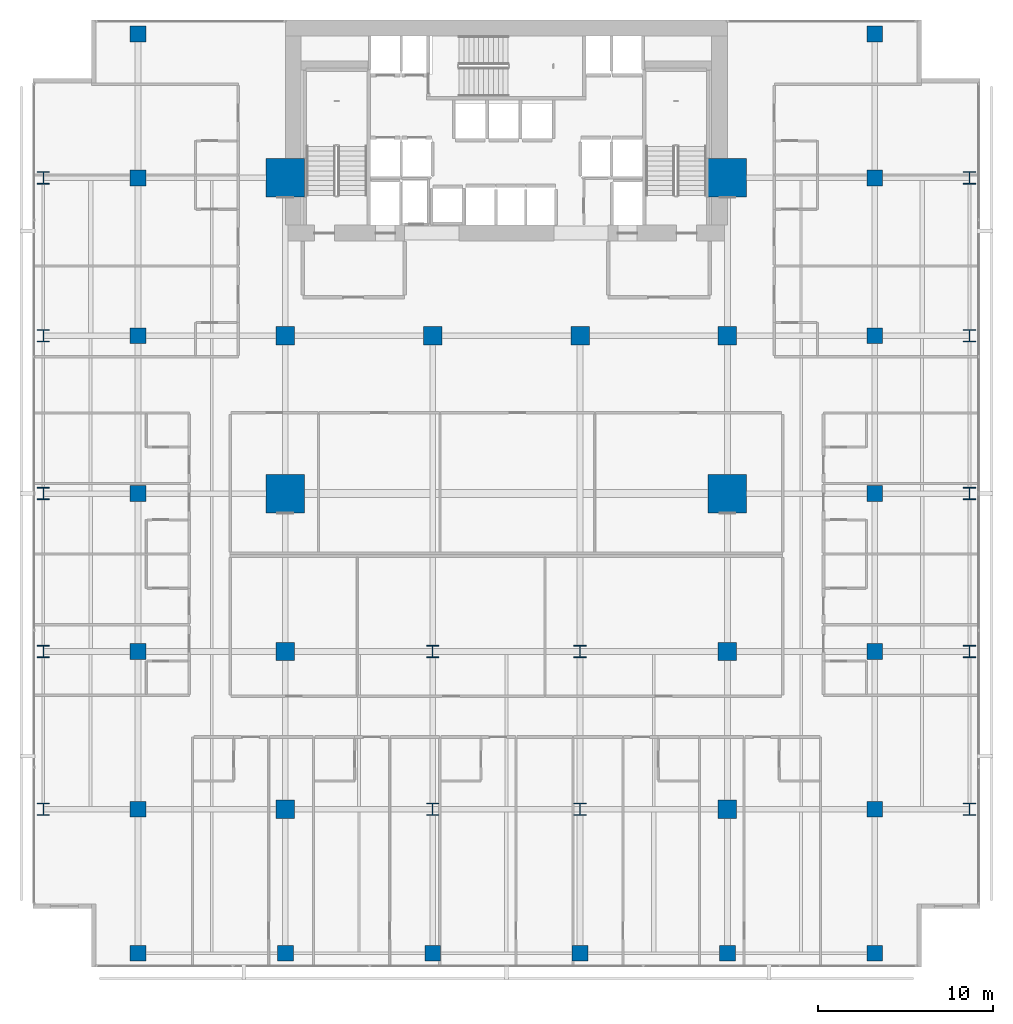
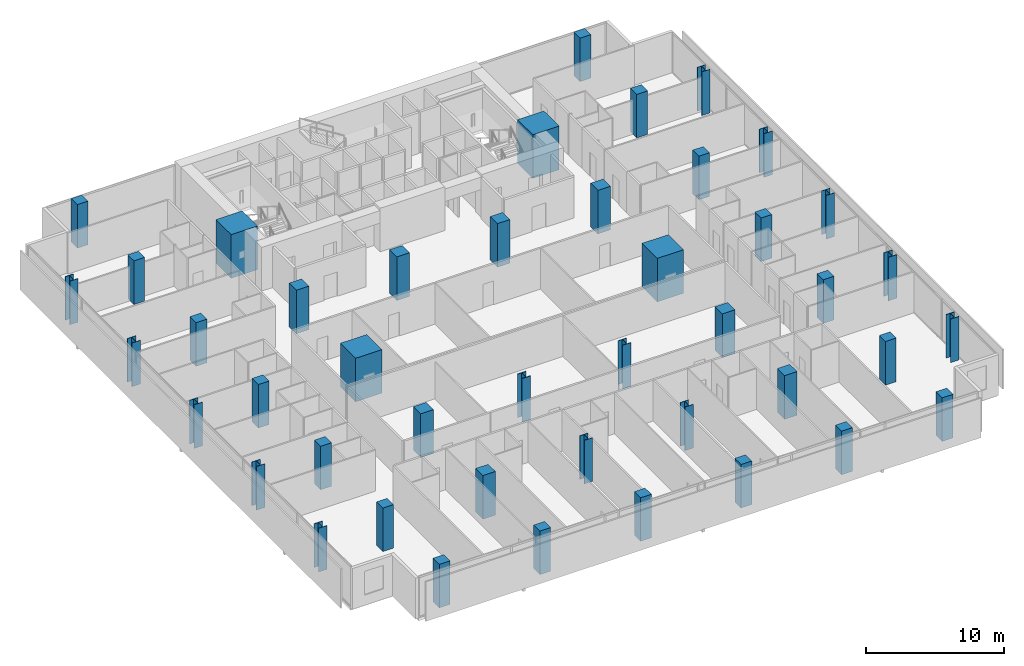
# One storey, part 1 of 40: 44 columns.
"""IFC4 building model written with IfcOpenShell, lengths in metres."""

from ifc_helpers import new_model, si_unit, direction, frame, origin, origin_2d, place, context, subcontext, project, spatial, rectangle, i_section, extrude, material, material_profile, profile_set, type_object, element, save


model = new_model("IFC4")

# Units and contexts
model_context = context("Model", 3, precision=1e-05, world=origin(), true_north=direction((0.0, 1.0)))
body_context = subcontext(model_context, "Body", "Model", "MODEL_VIEW")
ifc_project = project(units=[si_unit("LENGTHUNIT", "METRE"), si_unit("AREAUNIT", "SQUARE_METRE"), si_unit("VOLUMEUNIT", "CUBIC_METRE"), si_unit("PLANEANGLEUNIT", "RADIAN"), si_unit("MASSUNIT", "GRAM", prefix="KILO")], contexts=[model_context])

# Site, building, storey
site_placement = place(None, origin())
site = spatial("IfcSite", under=ifc_project, at=site_placement, CompositionType="ELEMENT")
building_placement = place(site_placement, origin())
building = spatial("IfcBuilding", under=site, at=building_placement, Name="Maruvema Waterfront Hotel and Observation Tower", CompositionType="ELEMENT")
storey_placement = place(building_placement, frame((0.0, 0.0, 80.85009765625)))
storey = spatial("IfcBuildingStorey", under=building, at=storey_placement, Name="L19", CompositionType="ELEMENT", Elevation=80.85009765625)

# Columns
ifc_material_1 = material(Name="Concrete C80/95", Category="concrete")
ifc_material_profile_1 = material_profile(ifc_material_1, rectangle(XDim=2.199951171875, YDim=2.199951171875, at=origin_2d()), Name="MC2200x2200")
ifc_profile_set_1 = profile_set([ifc_material_profile_1], Name="Concrete C80/95")
column_type_1 = type_object("IfcColumnType", Name="Continuous Mega-Column MC2200x2200", PredefinedType="COLUMN", material=ifc_profile_set_1)
for number, where, z_axis, x_axis, name in (
    (1, (25.199951171875, 27.0, 0.0), (0.0, 0.0, 1.0), (1.0, 0.0, 0.0), "L19 Continuous Mega-Column MC-01"),
    (2, (50.39990234375, 27.0, 0.0), (0.0, 0.0, 1.0), (1.0, 0.0, 0.0), "L19 Continuous Mega-Column MC-02"),
    (3, (25.199951171875, 45.0, 0.0), (0.0, 0.0, 1.0), (1.0, 0.0, 0.0), "L19 Continuous Mega-Column MC-03"),
    (4, (50.39990234375, 45.0, 0.0), (0.0, 0.0, 1.0), (1.0, 0.0, 0.0), "L19 Continuous Mega-Column MC-04"),
):
    element("IfcColumn", number, at=place(storey_placement, frame(where, z_axis=z_axis, x_axis=x_axis)), inside=storey, type_object=column_type_1, Name=name, PredefinedType="COLUMN", context=body_context, shape_type="SweptSolid", body=[
        extrude(rectangle(XDim=2.199951171875, YDim=2.199951171875, at=origin_2d()), origin(), (0.0, 0.0, 1.0), 3.849853515625),
    ])
ifc_material_2 = material(Name="Concrete C60/75", Category="concrete")
ifc_material_profile_2 = material_profile(ifc_material_2, rectangle(XDim=1.050048828125, YDim=1.050048828125, at=origin_2d()), Name="RC1050x1050")
ifc_profile_set_2 = profile_set([ifc_material_profile_2], Name="Concrete C60/75")
column_type_2 = type_object("IfcColumnType", Name="Reinforced Concrete Column RC1050x1050", PredefinedType="COLUMN", material=ifc_profile_set_2)
for number, where, z_axis, x_axis, name in (
    (5, (25.199951171875, 36.0, 0.0), (0.0, 0.0, 1.0), (1.0, 0.0, 0.0), "L19 Column C-4E"),
    (6, (33.60009765625, 36.0, 0.0), (0.0, 0.0, 1.0), (1.0, 0.0, 0.0), "L19 Column C-5E"),
    (7, (42.0, 36.0, 0.0), (0.0, 0.0, 1.0), (1.0, 0.0, 0.0), "L19 Column C-6E"),
    (8, (50.39990234375, 36.0, 0.0), (0.0, 0.0, 1.0), (1.0, 0.0, 0.0), "L19 Column C-7E"),
    (9, (25.199951171875, 18.0, 0.0), (0.0, 0.0, 1.0), (1.0, 0.0, 0.0), "L19 Column C-4C"),
    (10, (50.39990234375, 18.0, 0.0), (0.0, 0.0, 1.0), (1.0, 0.0, 0.0), "L19 Column C-7C"),
    (11, (25.199951171875, 9.0, 0.0), (0.0, 0.0, 1.0), (1.0, 0.0, 0.0), "L19 Column C-4B"),
    (12, (50.39990234375, 9.0, 0.0), (0.0, 0.0, 1.0), (1.0, 0.0, 0.0), "L19 Column C-7B"),
):
    element("IfcColumn", number, at=place(storey_placement, frame(where, z_axis=z_axis, x_axis=x_axis)), inside=storey, type_object=column_type_2, Name=name, PredefinedType="COLUMN", context=body_context, shape_type="SweptSolid", body=[
        extrude(rectangle(XDim=1.050048828125, YDim=1.050048828125, at=origin_2d()), origin(), (0.0, 0.0, 1.0), 3.849853515625),
    ])
ifc_material_3 = material(Name="Concrete C60/75", Category="concrete")
ifc_material_profile_3 = material_profile(ifc_material_3, rectangle(XDim=0.89990234375, YDim=0.89990234375, at=origin_2d()), Name="RC900x900")
ifc_profile_set_3 = profile_set([ifc_material_profile_3], Name="Concrete C60/75")
column_type_3 = type_object("IfcColumnType", Name="Reinforced Concrete Column RC900x900", PredefinedType="COLUMN", material=ifc_profile_set_3)
for number, where, z_axis, x_axis, name in (
    (13, (16.800048828125, 9.0, 0.0), (0.0, 0.0, 1.0), (1.0, 0.0, 0.0), "L19 Column C-3Y9"),
    (14, (58.800048828125, 9.0, 0.0), (0.0, 0.0, 1.0), (1.0, 0.0, 0.0), "L19 Column C-8Y9"),
    (15, (16.800048828125, 18.0, 0.0), (0.0, 0.0, 1.0), (1.0, 0.0, 0.0), "L19 Column C-3Y18"),
    (16, (58.800048828125, 18.0, 0.0), (0.0, 0.0, 1.0), (1.0, 0.0, 0.0), "L19 Column C-8Y18"),
    (17, (16.800048828125, 27.0, 0.0), (0.0, 0.0, 1.0), (1.0, 0.0, 0.0), "L19 Column C-3Y27"),
    (18, (58.800048828125, 27.0, 0.0), (0.0, 0.0, 1.0), (1.0, 0.0, 0.0), "L19 Column C-8Y27"),
    (19, (16.800048828125, 36.0, 0.0), (0.0, 0.0, 1.0), (1.0, 0.0, 0.0), "L19 Column C-3Y36"),
    (20, (58.800048828125, 36.0, 0.0), (0.0, 0.0, 1.0), (1.0, 0.0, 0.0), "L19 Column C-8Y36"),
    (21, (16.800048828125, 45.0, 0.0), (0.0, 0.0, 1.0), (1.0, 0.0, 0.0), "L19 Column C-3Y45"),
    (22, (58.800048828125, 45.0, 0.0), (0.0, 0.0, 1.0), (1.0, 0.0, 0.0), "L19 Column C-8Y45"),
    (23, (16.800048828125, 0.800048828125, 0.0), (0.0, 0.0, 1.0), (1.0, 0.0, 0.0), "L19 Column C-3A"),
    (24, (25.199951171875, 0.800048828125, 0.0), (0.0, 0.0, 1.0), (1.0, 0.0, 0.0), "L19 Column C-4A"),
    (25, (33.60009765625, 0.800048828125, 0.0), (0.0, 0.0, 1.0), (1.0, 0.0, 0.0), "L19 Column C-5A"),
    (26, (42.0, 0.800048828125, 0.0), (0.0, 0.0, 1.0), (1.0, 0.0, 0.0), "L19 Column C-6A"),
    (27, (50.39990234375, 0.800048828125, 0.0), (0.0, 0.0, 1.0), (1.0, 0.0, 0.0), "L19 Column C-7A"),
    (28, (58.800048828125, 0.800048828125, 0.0), (0.0, 0.0, 1.0), (1.0, 0.0, 0.0), "L19 Column C-8A"),
    (29, (16.800048828125, 53.199951171875, 0.0), (0.0, 0.0, 1.0), (1.0, 0.0, 0.0), "L19 Column C-3G"),
    (30, (58.800048828125, 53.199951171875, 0.0), (0.0, 0.0, 1.0), (1.0, 0.0, 0.0), "L19 Column C-8G"),
):
    element("IfcColumn", number, at=place(storey_placement, frame(where, z_axis=z_axis, x_axis=x_axis)), inside=storey, type_object=column_type_3, Name=name, PredefinedType="COLUMN", context=body_context, shape_type="SweptSolid", body=[
        extrude(rectangle(XDim=0.89990234375, YDim=0.89990234375, at=origin_2d()), origin(), (0.0, 0.0, 1.0), 3.849853515625),
    ])
ifc_material_4 = material(Name="Steel ABNT NBR 7007 AR 415 (ASTM A572 Grade 50)", Category="steel")
ifc_material_profile_4 = material_profile(ifc_material_4, i_section(OverallWidth=0.699951171875, OverallDepth=0.699951171875, WebThickness=0.028076171875, FlangeThickness=0.0439453125, at=origin_2d()), Name="CVS700x436")
ifc_profile_set_4 = profile_set([ifc_material_profile_4], Name="Steel ABNT NBR 7007 AR 415 (ASTM A572 Grade 50)")
column_type_4 = type_object("IfcColumnType", Name="Structural Steel Column CVS700x436", PredefinedType="COLUMN", material=ifc_profile_set_4)
for number, where, z_axis, x_axis, name in (
    (31, (33.60009765625, 9.0, 0.0), (0.0, 0.0, 1.0), (1.0, 0.0, 0.0), "L19 Column C-5B"),
    (32, (42.0, 9.0, 0.0), (0.0, 0.0, 1.0), (1.0, 0.0, 0.0), "L19 Column C-6B"),
    (33, (33.60009765625, 18.0, 0.0), (0.0, 0.0, 1.0), (1.0, 0.0, 0.0), "L19 Column C-5C"),
    (34, (42.0, 18.0, 0.0), (0.0, 0.0, 1.0), (1.0, 0.0, 0.0), "L19 Column C-6C"),
    (35, (11.39990234375, 9.0, 0.0), (0.0, 0.0, 1.0), (1.0, 0.0, 0.0), "L19 Column C-Z1W9"),
    (36, (64.199951171875, 9.0, 0.0), (0.0, 0.0, 1.0), (1.0, 0.0, 0.0), "L19 Column C-Z1E9"),
    (37, (11.39990234375, 18.0, 0.0), (0.0, 0.0, 1.0), (1.0, 0.0, 0.0), "L19 Column C-Z1W18"),
    (38, (64.199951171875, 18.0, 0.0), (0.0, 0.0, 1.0), (1.0, 0.0, 0.0), "L19 Column C-Z1E18"),
    (39, (11.39990234375, 27.0, 0.0), (0.0, 0.0, 1.0), (1.0, 0.0, 0.0), "L19 Column C-Z1W27"),
    (40, (64.199951171875, 27.0, 0.0), (0.0, 0.0, 1.0), (1.0, 0.0, 0.0), "L19 Column C-Z1E27"),
    (41, (11.39990234375, 36.0, 0.0), (0.0, 0.0, 1.0), (1.0, 0.0, 0.0), "L19 Column C-Z1W36"),
    (42, (64.199951171875, 36.0, 0.0), (0.0, 0.0, 1.0), (1.0, 0.0, 0.0), "L19 Column C-Z1E36"),
    (43, (11.39990234375, 45.0, 0.0), (0.0, 0.0, 1.0), (1.0, 0.0, 0.0), "L19 Column C-Z1W45"),
    (44, (64.199951171875, 45.0, 0.0), (0.0, 0.0, 1.0), (1.0, 0.0, 0.0), "L19 Column C-Z1E45"),
):
    element("IfcColumn", number, at=place(storey_placement, frame(where, z_axis=z_axis, x_axis=x_axis)), inside=storey, type_object=column_type_4, Name=name, PredefinedType="COLUMN", context=body_context, shape_type="SweptSolid", body=[
        extrude(i_section(OverallWidth=0.699951171875, OverallDepth=0.699951171875, WebThickness=0.028076171875, FlangeThickness=0.0439453125, at=origin_2d()), origin(), (0.0, 0.0, 1.0), 3.849853515625),
    ])

save(model, "model.ifc")
